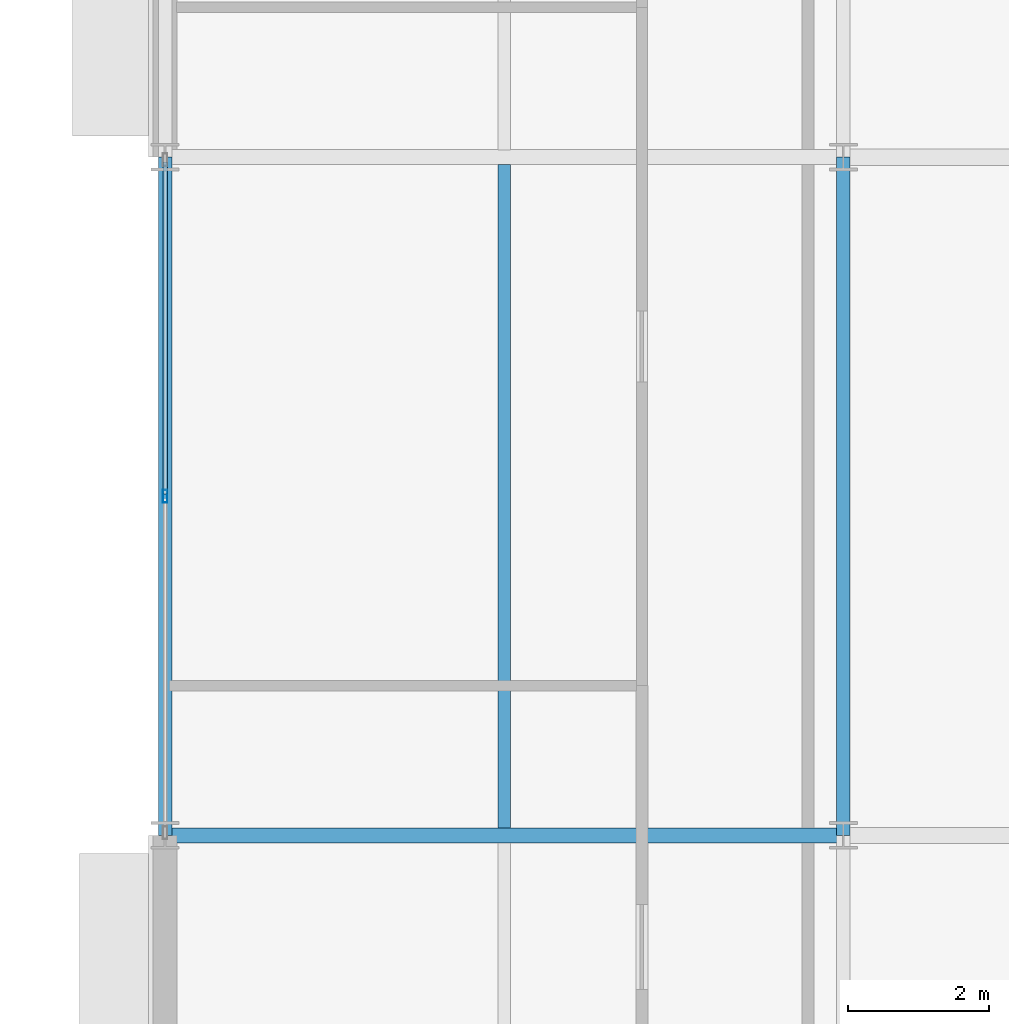
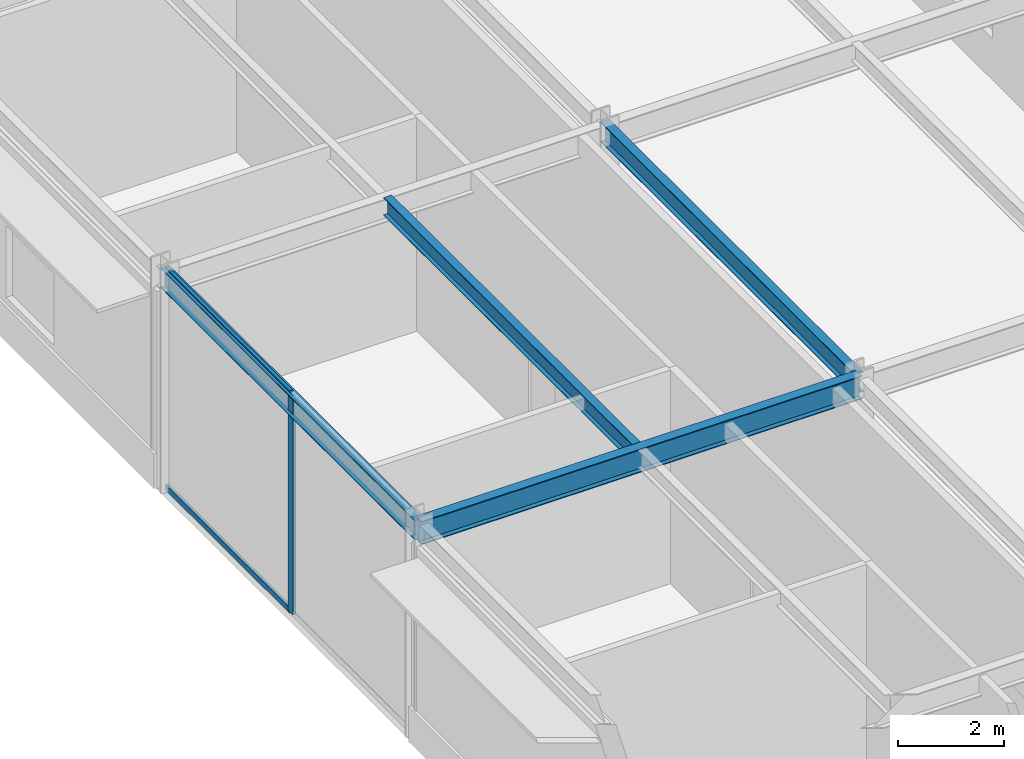
# One storey, part 106 of 168: 4 beams, 3 members, 1 element without a shape of its own.
"""IFC4 building model written with IfcOpenShell, lengths in metres."""

from ifc_helpers import new_model, si_unit, direction, frame, origin, origin_2d, place, context, subcontext, project, spatial, hollow_rectangle, i_section, extrude, material, material_profile, profile_set, type_object, element, aggregate, save


model = new_model("IFC4")

# Units and contexts
model_context = context("Model", 3, precision=1e-05, world=origin(), true_north=direction((0.0, 1.0)))
body_context = subcontext(model_context, "Body", "Model", "MODEL_VIEW")
ifc_project = project(units=[si_unit("LENGTHUNIT", "METRE"), si_unit("AREAUNIT", "SQUARE_METRE"), si_unit("VOLUMEUNIT", "CUBIC_METRE"), si_unit("PLANEANGLEUNIT", "RADIAN"), si_unit("MASSUNIT", "GRAM", prefix="KILO")], contexts=[model_context])

# Site, building, storey
site_placement = place(None, origin())
site = spatial("IfcSite", under=ifc_project, at=site_placement, CompositionType="ELEMENT")
building_placement = place(site_placement, origin())
building = spatial("IfcBuilding", under=site, at=building_placement, Name="Almandine Court Research Institute", CompositionType="ELEMENT")
storey_placement = place(building_placement, origin())
storey = spatial("IfcBuildingStorey", under=building, at=storey_placement, Name="L00", CompositionType="ELEMENT", Elevation=0.0)

# Beams
ifc_material_1 = material(Name="Steel ASTM A992 Grade 50", Category="steel")
ifc_material_profile_1 = material_profile(ifc_material_1, i_section(OverallWidth=0.18994140625, OverallDepth=0.45703125, WebThickness=0.009033203125, FlangeThickness=0.014892578125, at=origin_2d()), Name="W460x74")
ifc_profile_set_1 = profile_set([ifc_material_profile_1], Name="Steel ASTM A992 Grade 50")
beam_type_1 = type_object("IfcBeamType", Name="Beam-B-01", PredefinedType="BEAM", material=ifc_profile_set_1)
for number, where, z_axis, x_axis, name in (
    (1, (153.60009765625, 93.60009765625, 4.841064453125), (0.0, 1.0, 0.0), (-1.0, 0.0, 0.0), "L00 V4 Primary Y Girder"),
    (2, (163.199951171875, 93.60009765625, 4.841064453125), (0.0, 1.0, 0.0), (-1.0, 0.0, 0.0), "L00 V4 Primary Y Girder"),
):
    element("IfcBeam", number, at=place(storey_placement, frame(where, z_axis=z_axis, x_axis=x_axis)), inside=storey, type_object=beam_type_1, Name=name, PredefinedType="BEAM", context=body_context, shape_type="SweptSolid", body=[
        extrude(i_section(OverallWidth=0.18994140625, OverallDepth=0.45703125, WebThickness=0.009033203125, FlangeThickness=0.014892578125, at=origin_2d()), origin(), (0.0, 0.0, 1.0), 9.599853515625),
    ])
ifc_material_profile_2 = material_profile(ifc_material_1, i_section(OverallWidth=0.178955078125, OverallDepth=0.409912109375, WebThickness=0.009033203125, FlangeThickness=0.013916015625, at=origin_2d()), Name="W410x67")
ifc_profile_set_2 = profile_set([ifc_material_profile_2], Name="Steel ASTM A992 Grade 50")
beam_type_2 = type_object("IfcBeamType", Name="Beam-B-02", PredefinedType="JOIST", material=ifc_profile_set_2)
beam_1_placement = place(storey_placement, frame((158.39990234375, 93.702880859375, 4.864990234375), z_axis=(0.0, 1.0, 0.0), x_axis=(-1.0, 0.0, 0.0)))
element("IfcBeam", 3, at=beam_1_placement, inside=storey, type_object=beam_type_2, Name="L00 V4 Composite Secondary Beam", PredefinedType="JOIST", context=body_context, shape_type="SweptSolid", body=[
    extrude(i_section(OverallWidth=0.178955078125, OverallDepth=0.409912109375, WebThickness=0.009033203125, FlangeThickness=0.013916015625, at=origin_2d()), origin(), (0.0, 0.0, 1.0), 9.39404296875),
])
ifc_material_profile_3 = material_profile(ifc_material_1, i_section(OverallWidth=0.2109375, OverallDepth=0.5390625, WebThickness=0.011962890625, FlangeThickness=0.01904296875, at=origin_2d()), Name="W530x109")
ifc_profile_set_3 = profile_set([ifc_material_profile_3], Name="Steel ASTM A992 Grade 50")
beam_type_3 = type_object("IfcBeamType", Name="Beam-G-04", PredefinedType="BEAM", material=ifc_profile_set_3)
beam_2_placement = place(storey_placement, frame((153.60009765625, 93.60009765625, 4.801025390625), z_axis=(1.0, 0.0, 0.0), x_axis=(0.0, 1.0, 0.0)))
element("IfcBeam", 4, at=beam_2_placement, inside=storey, type_object=beam_type_3, Name="L00 V4 Primary X Girder", PredefinedType="BEAM", context=body_context, shape_type="SweptSolid", body=[
    extrude(i_section(OverallWidth=0.2109375, OverallDepth=0.5390625, WebThickness=0.011962890625, FlangeThickness=0.01904296875, at=origin_2d()), origin(), (0.0, 0.0, 1.0), 9.599853515625),
])

# Curtain wall, members
ifc_material_2 = material(Name="Unitised Curtain Wall Framing and Solar Glazing", Category="glass")
curtain_wall_type = type_object("IfcCurtainWallType", Name="CW-CWJ-13", PredefinedType="USERDEFINED", material=ifc_material_2)
curtain_wall_placement = place(storey_placement, origin())
curtain_wall = element("IfcCurtainWall", 5, at=curtain_wall_placement, inside=storey, type_object=curtain_wall_type, Name="L00 Wet Lab West Courtyard Jali Curtain Wall 7", ObjectType="SOLAR JALI SCREEN", PredefinedType="USERDEFINED")
ifc_material_3 = material(Name="Anodised Aluminium AW-6063-T6", Category="aluminium")
ifc_material_profile_4 = material_profile(ifc_material_3, hollow_rectangle(XDim=0.06494140625, YDim=0.179931640625, WallThickness=0.00390625, at=origin_2d()), Name="ALU RHS 65x180x4")
ifc_profile_set_4 = profile_set([ifc_material_profile_4], Name="Anodised Aluminium AW-6063-T6")
member_type_1 = type_object("IfcMemberType", Name="CWMul-65x180", PredefinedType="MULLION", material=ifc_profile_set_4)
member_1_placement = place(storey_placement, frame((153.60009765625, 98.39990234375, 0.0), z_axis=(0.0, 0.0, 1.0), x_axis=(-1.0, 0.0, 0.0)))
member_1 = element("IfcMember", 6, at=member_1_placement, type_object=member_type_1, Name="CWJ-13 mullion 2", PredefinedType="MULLION", context=body_context, shape_type="SweptSolid", body=[
    extrude(hollow_rectangle(XDim=0.06494140625, YDim=0.179931640625, WallThickness=0.00390625, at=origin_2d()), origin(), (0.0, 0.0, 1.0), 5.070068359375),
])
ifc_material_profile_5 = material_profile(ifc_material_3, hollow_rectangle(XDim=0.06494140625, YDim=0.1298828125, WallThickness=0.00390625, at=origin_2d()), Name="ALU RHS 65x130x4")
ifc_profile_set_5 = profile_set([ifc_material_profile_5], Name="Anodised Aluminium AW-6063-T6")
member_type_2 = type_object("IfcMemberType", Name="CWTrn-65x130", PredefinedType="NOTDEFINED", material=ifc_profile_set_5)
member_2_placement = place(storey_placement, frame((153.60009765625, 98.4326171875, 0.032470703125), z_axis=(0.0, 1.0, 0.0), x_axis=(-1.0, 0.0, 0.0)))
member_2 = element("IfcMember", 7, at=member_2_placement, type_object=member_type_2, Name="CWJ-13 transom 2.1", ObjectType="TRANSOM", PredefinedType="USERDEFINED", context=body_context, shape_type="SweptSolid", body=[
    extrude(hollow_rectangle(XDim=0.06494140625, YDim=0.1298828125, WallThickness=0.00390625, at=origin_2d()), origin(), (0.0, 0.0, 1.0), 4.698486328125),
])
member_3_placement = place(storey_placement, frame((153.60009765625, 98.4326171875, 5.03759765625), z_axis=(0.0, 1.0, 0.0), x_axis=(-1.0, 0.0, 0.0)))
member_3 = element("IfcMember", 8, at=member_3_placement, type_object=member_type_2, Name="CWJ-13 transom 2.2", ObjectType="TRANSOM", PredefinedType="USERDEFINED", context=body_context, shape_type="SweptSolid", body=[
    extrude(hollow_rectangle(XDim=0.06494140625, YDim=0.1298828125, WallThickness=0.00390625, at=origin_2d()), origin(), (0.0, 0.0, 1.0), 4.698486328125),
])
aggregate(curtain_wall, [member_1, member_2, member_3])

save(model, "model.ifc")
